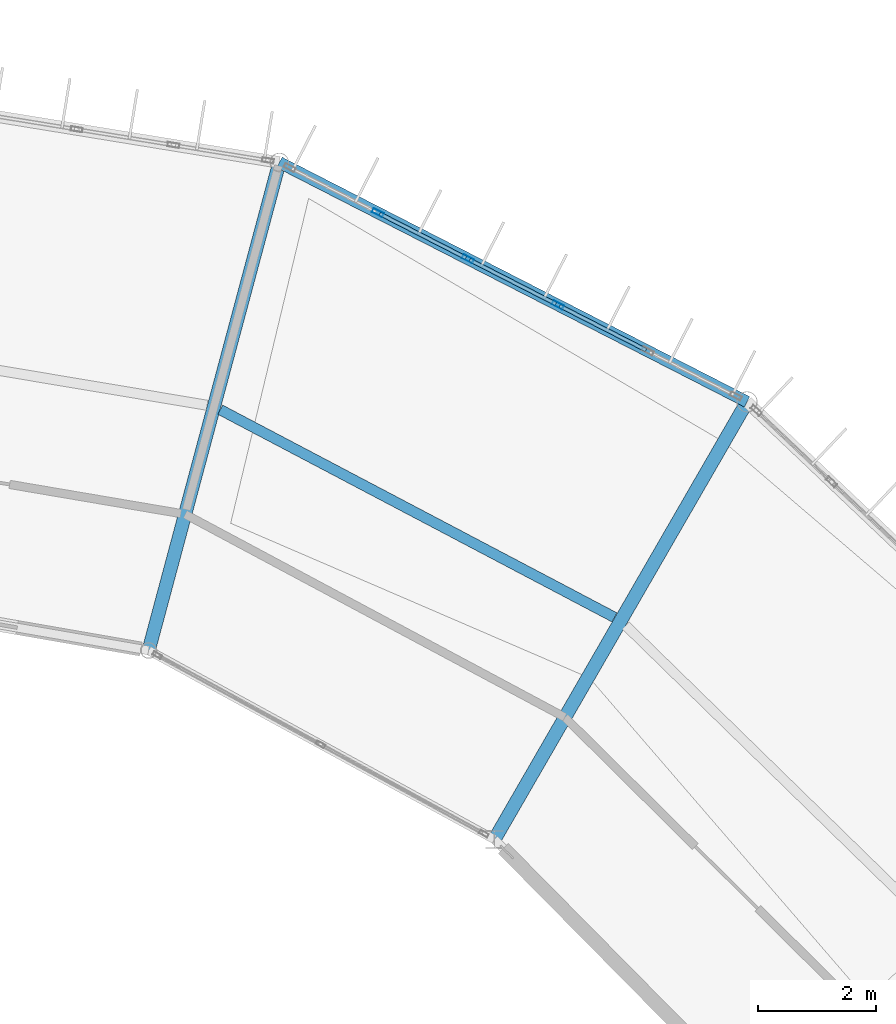
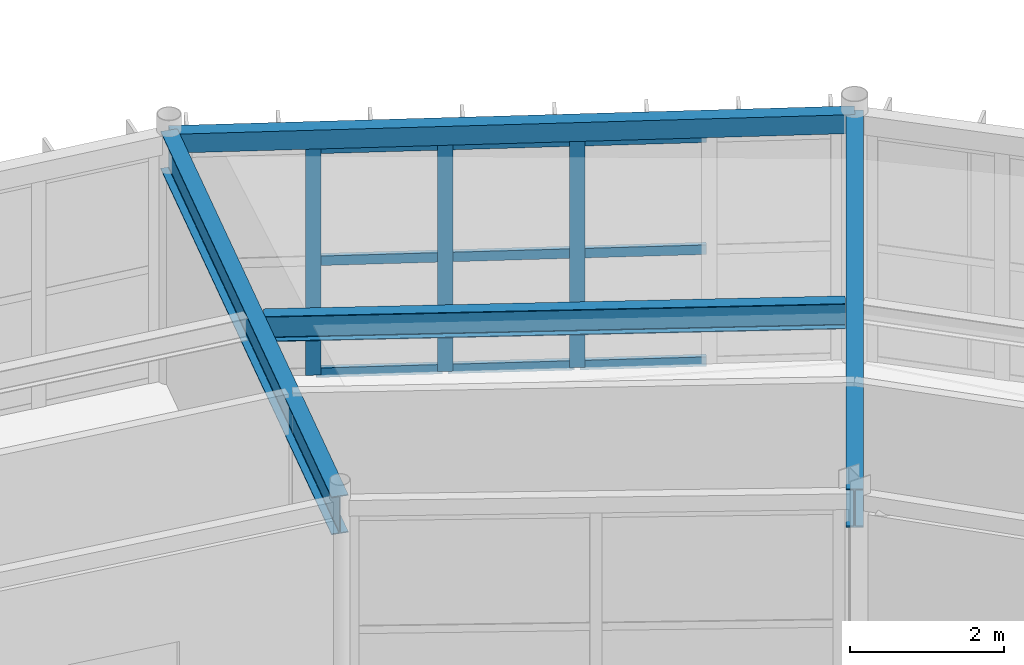
# One storey, part 87 of 147: 12 members, 4 beams, 1 element without a shape of its own.
"""IFC4 building model written with IfcOpenShell, lengths in metres."""

from ifc_helpers import new_model, si_unit, direction, frame, origin, origin_2d, place, context, subcontext, project, spatial, hollow_rectangle, i_section, extrude, material, material_profile, profile_set, type_object, element, aggregate, save


model = new_model("IFC4")

# Units and contexts
model_context = context("Model", 3, precision=1e-05, world=origin(), true_north=direction((0.0, 1.0)))
body_context = subcontext(model_context, "Body", "Model", "MODEL_VIEW")
ifc_project = project(units=[si_unit("LENGTHUNIT", "METRE"), si_unit("AREAUNIT", "SQUARE_METRE"), si_unit("VOLUMEUNIT", "CUBIC_METRE"), si_unit("PLANEANGLEUNIT", "RADIAN"), si_unit("MASSUNIT", "GRAM", prefix="KILO")], contexts=[model_context])

# Site, building, storey
site_placement = place(None, origin())
site = spatial("IfcSite", under=ifc_project, at=site_placement, CompositionType="ELEMENT")
building_placement = place(site_placement, origin())
building = spatial("IfcBuilding", under=site, at=building_placement, Name="Karori Crest Natural Sciences Institute", CompositionType="ELEMENT")
storey_placement = place(building_placement, frame((0.0, 0.0, 9.10009765625)))
storey = spatial("IfcBuildingStorey", under=building, at=storey_placement, Name="L02", CompositionType="ELEMENT", Elevation=9.10009765625)

# Beams
ifc_material_1 = material(Name="Structural steel AS/NZS 3679.1 Grade 350", Category="steel")
ifc_material_profile_1 = material_profile(ifc_material_1, i_section(OverallWidth=0.22900390625, OverallDepth=0.612060546875, WebThickness=0.011962890625, FlangeThickness=0.01953125, FilletRadius=0.013916015625, at=origin_2d()), Name="610UB125")
ifc_profile_set_1 = profile_set([ifc_material_profile_1], Name="Structural steel AS/NZS 3679.1 Grade 350")
beam_type_1 = type_object("IfcBeamType", Name="BT-04", PredefinedType="BEAM", material=ifc_profile_set_1)
beam_1_placement = place(storey_placement, frame((78.60009765625, 77.785888671875, 3.6337890625), z_axis=(0.499973925258, 0.86604045752, 0.0), x_axis=(-0.86604045752, 0.499973925258, 0.0)))
element("IfcBeam", 1, at=beam_1_placement, inside=storey, type_object=beam_type_1, Name="Beam B-0287", PredefinedType="BEAM", context=body_context, shape_type="SweptSolid", body=[
    extrude(i_section(OverallWidth=0.22900390625, OverallDepth=0.612060546875, WebThickness=0.011962890625, FlangeThickness=0.01953125, FilletRadius=0.013916015625, at=origin_2d()), origin(), (0.0, 0.0, 1.0), 8.60009765625),
])
ifc_material_2 = material(Name="Hollow structural steel AS/NZS 1163 Grade C350", Category="steel")
ifc_material_profile_2 = material_profile(ifc_material_2, hollow_rectangle(XDim=0.199951171875, YDim=0.300048828125, WallThickness=0.010009765625, at=origin_2d()), Name="RHS300x200x10")
ifc_profile_set_2 = profile_set([ifc_material_profile_2], Name="Hollow structural steel AS/NZS 1163 Grade C350")
beam_type_2 = type_object("IfcBeamType", Name="BT-15", PredefinedType="SPANDREL", material=ifc_profile_set_2)
beam_2_placement = place(storey_placement, frame((82.89990234375, 85.23388671875, 3.789794921875), z_axis=(-0.890071733872, 0.455820478436, 0.0), x_axis=(-0.455820478436, -0.890071733872, 0.0)))
element("IfcBeam", 2, at=beam_2_placement, inside=storey, type_object=beam_type_2, Name="Beam B-0285", PredefinedType="SPANDREL", context=body_context, shape_type="SweptSolid", body=[
    extrude(hollow_rectangle(XDim=0.199951171875, YDim=0.300048828125, WallThickness=0.010009765625, at=origin_2d()), origin(), (0.0, 0.0, 1.0), 8.94189453125),
])
ifc_material_profile_3 = material_profile(ifc_material_1, i_section(OverallWidth=0.22802734375, OverallDepth=0.60205078125, WebThickness=0.010498046875, FlangeThickness=0.014892578125, FilletRadius=0.013916015625, at=origin_2d()), Name="610UB101")
ifc_profile_set_3 = profile_set([ifc_material_profile_3], Name="Structural steel AS/NZS 3679.1 Grade 350")
beam_type_3 = type_object("IfcBeamType", Name="BT-27", PredefinedType="BEAM", material=ifc_profile_set_3)
beam_3_placement = place(storey_placement, frame((72.715087890625, 81.002685546875, 3.638916015625), z_axis=(0.258812709002, 0.96592752402, 0.0), x_axis=(-0.96592752402, 0.258812709002, 0.0)))
element("IfcBeam", 3, at=beam_3_placement, inside=storey, type_object=beam_type_3, Name="Beam B-0291", PredefinedType="BEAM", context=body_context, shape_type="SweptSolid", body=[
    extrude(i_section(OverallWidth=0.22802734375, OverallDepth=0.60205078125, WebThickness=0.010498046875, FlangeThickness=0.014892578125, FilletRadius=0.013916015625, at=origin_2d()), origin(), (0.0, 0.0, 1.0), 8.60009765625),
])
ifc_material_profile_4 = material_profile(ifc_material_1, i_section(OverallWidth=0.177978515625, OverallDepth=0.403076171875, WebThickness=0.007568359375, FlangeThickness=0.010986328125, FilletRadius=0.010986328125, at=origin_2d()), Name="410UB53.7")
ifc_profile_set_4 = profile_set([ifc_material_profile_4], Name="Structural steel AS/NZS 3679.1 Grade 350")
beam_type_4 = type_object("IfcBeamType", Name="BT-29", PredefinedType="BEAM", material=ifc_profile_set_4)
beam_4_placement = place(storey_placement, frame((80.643798828125, 81.56591796875, 3.73828125), z_axis=(-0.884748465601, 0.466068828197, 0.0), x_axis=(-0.466068828197, -0.884748465601, 0.0)))
element("IfcBeam", 4, at=beam_4_placement, inside=storey, type_object=beam_type_4, Name="Beam B-0288", PredefinedType="BEAM", context=body_context, shape_type="SweptSolid", body=[
    extrude(i_section(OverallWidth=0.177978515625, OverallDepth=0.403076171875, WebThickness=0.007568359375, FlangeThickness=0.010986328125, FilletRadius=0.010986328125, at=origin_2d()), origin(), (0.0, 0.0, 1.0), 7.58349609375),
])

# Curtain wall, members
ifc_material_3 = material(Name="Anodised architectural aluminium 6063-T6", Category="aluminium")
curtain_wall_type = type_object("IfcCurtainWallType", Name="CWT-05", PredefinedType="NOTDEFINED", material=ifc_material_3)
curtain_wall_placement = place(storey_placement, origin())
curtain_wall = element("IfcCurtainWall", 5, at=curtain_wall_placement, inside=storey, type_object=curtain_wall_type, Name="Curtain wall CW-0071", PredefinedType="NOTDEFINED")
ifc_material_profile_5 = material_profile(ifc_material_3, hollow_rectangle(XDim=0.074951171875, YDim=0.199951171875, WallThickness=0.0048828125, at=origin_2d()), Name="CWM200x75x5")
ifc_profile_set_5 = profile_set([ifc_material_profile_5], Name="Anodised architectural aluminium 6063-T6")
member_type_1 = type_object("IfcMemberType", Name="CWM-02", PredefinedType="MULLION", material=ifc_profile_set_5)
member_1_placement = place(storey_placement, frame((76.615478515625, 88.452392578125, 0.0), z_axis=(0.0, 0.0, 1.0), x_axis=(0.455832988828, 0.890065326982, 0.0)))
member_1 = element("IfcMember", 6, at=member_1_placement, type_object=member_type_1, Name="CW-0071 mullion 2", PredefinedType="MULLION", context=body_context, shape_type="SweptSolid", body=[
    extrude(hollow_rectangle(XDim=0.074951171875, YDim=0.199951171875, WallThickness=0.0048828125, at=origin_2d()), origin(), (0.0, 0.0, 1.0), 3.625),
])
member_2_placement = place(storey_placement, frame((78.1474609375, 87.667724609375, 0.0), z_axis=(0.0, 0.0, 1.0), x_axis=(0.455832988828, 0.890065326982, 0.0)))
member_2 = element("IfcMember", 7, at=member_2_placement, type_object=member_type_1, Name="CW-0071 mullion 3", PredefinedType="MULLION", context=body_context, shape_type="SweptSolid", body=[
    extrude(hollow_rectangle(XDim=0.074951171875, YDim=0.199951171875, WallThickness=0.0048828125, at=origin_2d()), origin(), (0.0, 0.0, 1.0), 3.625),
])
member_3_placement = place(storey_placement, frame((79.679443359375, 86.883056640625, 0.0), z_axis=(0.0, 0.0, 1.0), x_axis=(0.455832988828, 0.890065326982, 0.0)))
member_3 = element("IfcMember", 8, at=member_3_placement, type_object=member_type_1, Name="CW-0071 mullion 4", PredefinedType="MULLION", context=body_context, shape_type="SweptSolid", body=[
    extrude(hollow_rectangle(XDim=0.074951171875, YDim=0.199951171875, WallThickness=0.0048828125, at=origin_2d()), origin(), (0.0, 0.0, 1.0), 3.625),
])
ifc_material_profile_6 = material_profile(ifc_material_3, hollow_rectangle(XDim=0.06494140625, YDim=0.14990234375, WallThickness=0.00390625, at=origin_2d()), Name="CWT150x65x4")
ifc_profile_set_6 = profile_set([ifc_material_profile_6], Name="Anodised architectural aluminium 6063-T6")
member_type_2 = type_object("IfcMemberType", Name="CWT-TR2", PredefinedType="USERDEFINED", material=ifc_profile_set_6)
member_4_placement = place(storey_placement, frame((76.648681640625, 88.435302734375, 0.032470703125), z_axis=(0.890055105015, -0.45585294782, 0.0), x_axis=(0.45585294782, 0.890055105015, 0.0)))
member_4 = element("IfcMember", 9, at=member_4_placement, type_object=member_type_2, Name="CW-0071 transom 2.1", ObjectType="TRANSOM", PredefinedType="USERDEFINED", context=body_context, shape_type="SweptSolid", body=[
    extrude(hollow_rectangle(XDim=0.06494140625, YDim=0.14990234375, WallThickness=0.00390625, at=origin_2d()), origin(), (0.0, 0.0, 1.0), 1.646240234375),
])
member_5_placement = place(storey_placement, frame((76.648681640625, 88.435302734375, 1.8125), z_axis=(0.890055105015, -0.45585294782, 0.0), x_axis=(0.45585294782, 0.890055105015, 0.0)))
member_5 = element("IfcMember", 10, at=member_5_placement, type_object=member_type_2, Name="CW-0071 transom 2.2", ObjectType="TRANSOM", PredefinedType="USERDEFINED", context=body_context, shape_type="SweptSolid", body=[
    extrude(hollow_rectangle(XDim=0.06494140625, YDim=0.14990234375, WallThickness=0.00390625, at=origin_2d()), origin(), (0.0, 0.0, 1.0), 1.646240234375),
])
member_6_placement = place(storey_placement, frame((76.648681640625, 88.435302734375, 3.59228515625), z_axis=(0.890055105015, -0.45585294782, 0.0), x_axis=(0.45585294782, 0.890055105015, 0.0)))
member_6 = element("IfcMember", 11, at=member_6_placement, type_object=member_type_2, Name="CW-0071 transom 2.3", ObjectType="TRANSOM", PredefinedType="USERDEFINED", context=body_context, shape_type="SweptSolid", body=[
    extrude(hollow_rectangle(XDim=0.06494140625, YDim=0.14990234375, WallThickness=0.00390625, at=origin_2d()), origin(), (0.0, 0.0, 1.0), 1.646240234375),
])
member_7_placement = place(storey_placement, frame((78.180908203125, 87.650634765625, 0.032470703125), z_axis=(0.890024283327, -0.455913122304, 0.0), x_axis=(0.455913122304, 0.890024283327, 0.0)))
member_7 = element("IfcMember", 12, at=member_7_placement, type_object=member_type_2, Name="CW-0071 transom 3.1", ObjectType="TRANSOM", PredefinedType="USERDEFINED", context=body_context, shape_type="SweptSolid", body=[
    extrude(hollow_rectangle(XDim=0.06494140625, YDim=0.14990234375, WallThickness=0.00390625, at=origin_2d()), origin(), (0.0, 0.0, 1.0), 1.646240234375),
])
member_8_placement = place(storey_placement, frame((78.180908203125, 87.650634765625, 1.8125), z_axis=(0.890024283327, -0.455913122304, 0.0), x_axis=(0.455913122304, 0.890024283327, 0.0)))
member_8 = element("IfcMember", 13, at=member_8_placement, type_object=member_type_2, Name="CW-0071 transom 3.2", ObjectType="TRANSOM", PredefinedType="USERDEFINED", context=body_context, shape_type="SweptSolid", body=[
    extrude(hollow_rectangle(XDim=0.06494140625, YDim=0.14990234375, WallThickness=0.00390625, at=origin_2d()), origin(), (0.0, 0.0, 1.0), 1.646240234375),
])
member_9_placement = place(storey_placement, frame((78.180908203125, 87.650634765625, 3.59228515625), z_axis=(0.890024283327, -0.455913122304, 0.0), x_axis=(0.455913122304, 0.890024283327, 0.0)))
member_9 = element("IfcMember", 14, at=member_9_placement, type_object=member_type_2, Name="CW-0071 transom 3.3", ObjectType="TRANSOM", PredefinedType="USERDEFINED", context=body_context, shape_type="SweptSolid", body=[
    extrude(hollow_rectangle(XDim=0.06494140625, YDim=0.14990234375, WallThickness=0.00390625, at=origin_2d()), origin(), (0.0, 0.0, 1.0), 1.646240234375),
])
member_10_placement = place(storey_placement, frame((79.712890625, 86.865966796875, 0.032470703125), z_axis=(0.890055105015, -0.45585294782, 0.0), x_axis=(0.45585294782, 0.890055105015, 0.0)))
member_10 = element("IfcMember", 15, at=member_10_placement, type_object=member_type_2, Name="CW-0071 transom 4.1", ObjectType="TRANSOM", PredefinedType="USERDEFINED", context=body_context, shape_type="SweptSolid", body=[
    extrude(hollow_rectangle(XDim=0.06494140625, YDim=0.14990234375, WallThickness=0.00390625, at=origin_2d()), origin(), (0.0, 0.0, 1.0), 1.646240234375),
])
member_11_placement = place(storey_placement, frame((79.712890625, 86.865966796875, 1.8125), z_axis=(0.890055105015, -0.45585294782, 0.0), x_axis=(0.45585294782, 0.890055105015, 0.0)))
member_11 = element("IfcMember", 16, at=member_11_placement, type_object=member_type_2, Name="CW-0071 transom 4.2", ObjectType="TRANSOM", PredefinedType="USERDEFINED", context=body_context, shape_type="SweptSolid", body=[
    extrude(hollow_rectangle(XDim=0.06494140625, YDim=0.14990234375, WallThickness=0.00390625, at=origin_2d()), origin(), (0.0, 0.0, 1.0), 1.646240234375),
])
member_12_placement = place(storey_placement, frame((79.712890625, 86.865966796875, 3.59228515625), z_axis=(0.890055105015, -0.45585294782, 0.0), x_axis=(0.45585294782, 0.890055105015, 0.0)))
member_12 = element("IfcMember", 17, at=member_12_placement, type_object=member_type_2, Name="CW-0071 transom 4.3", ObjectType="TRANSOM", PredefinedType="USERDEFINED", context=body_context, shape_type="SweptSolid", body=[
    extrude(hollow_rectangle(XDim=0.06494140625, YDim=0.14990234375, WallThickness=0.00390625, at=origin_2d()), origin(), (0.0, 0.0, 1.0), 1.646240234375),
])
aggregate(curtain_wall, [member_1, member_2, member_3, member_4, member_5, member_6, member_7, member_8, member_9, member_10, member_11, member_12])

save(model, "model.ifc")
